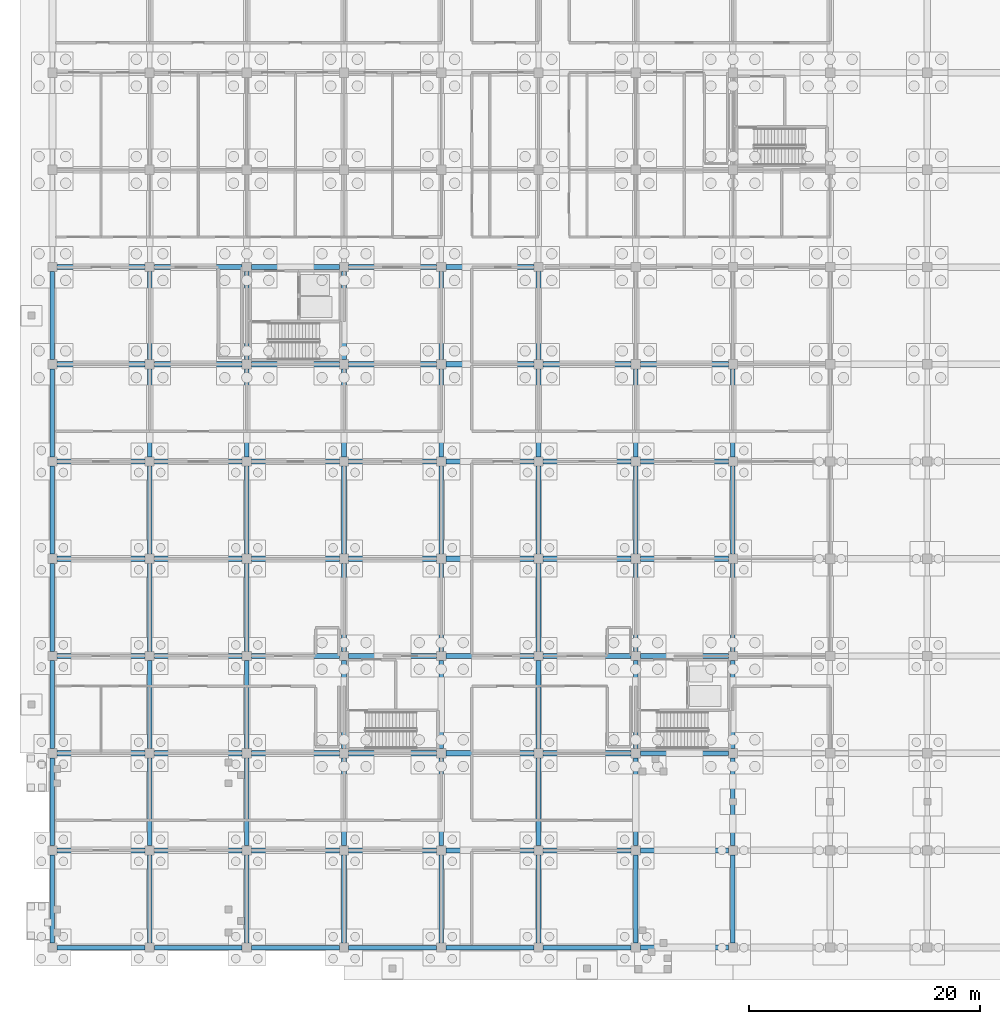
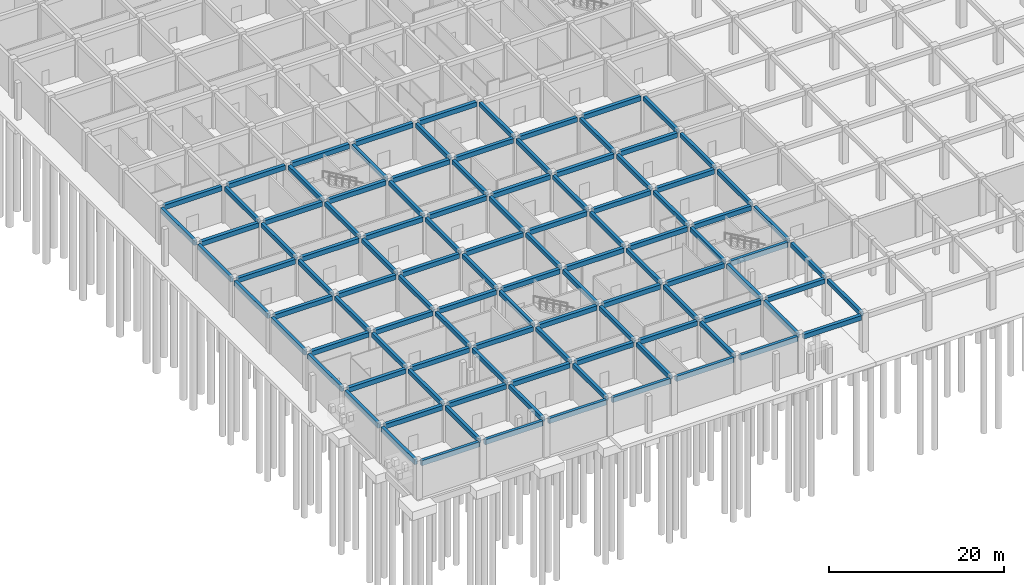
# One storey, part 20 of 65: 108 beams.
"""IFC4 building model written with IfcOpenShell, lengths in metres."""

from ifc_helpers import new_model, si_unit, direction, frame, origin, origin_2d, place, context, subcontext, project, spatial, rectangle, extrude, material, material_profile, profile_set, type_object, element, save


model = new_model("IFC4")

# Units and contexts
model_context = context("Model", 3, precision=1e-05, world=origin(), true_north=direction((0.0, 1.0)))
body_context = subcontext(model_context, "Body", "Model", "MODEL_VIEW")
ifc_project = project(units=[si_unit("LENGTHUNIT", "METRE"), si_unit("AREAUNIT", "SQUARE_METRE"), si_unit("VOLUMEUNIT", "CUBIC_METRE"), si_unit("PLANEANGLEUNIT", "RADIAN"), si_unit("MASSUNIT", "GRAM", prefix="KILO")], contexts=[model_context])

# Site, building, storey
site_placement = place(None, origin())
site = spatial("IfcSite", under=ifc_project, at=site_placement, CompositionType="ELEMENT")
building_placement = place(site_placement, origin())
building = spatial("IfcBuilding", under=site, at=building_placement, Name="Bramfleet General Hospital", CompositionType="ELEMENT")
storey_placement = place(building_placement, frame((0.0, 0.0, -5.39990234375)))
storey = spatial("IfcBuildingStorey", under=building, at=storey_placement, Name="B1", CompositionType="ELEMENT", Elevation=-5.39990234375)

# Beams
ifc_material = material(Name="Concrete C35/45", Category="concrete")
ifc_material_profile_1 = material_profile(ifc_material, rectangle(XDim=0.39990234375, YDim=0.60009765625, at=origin_2d()), Name="RC BM 600x400")
ifc_profile_set_1 = profile_set([ifc_material_profile_1], Name="Concrete C35/45")
beam_type_1 = type_object("IfcBeamType", Name="BM-RC600", PredefinedType="BEAM", material=ifc_profile_set_1)
beam_1_placement = place(storey_placement, frame((8.39990234375, 0.39990234375, 4.77978515625), z_axis=(0.0, 1.0, 0.0), x_axis=(-1.0, 0.0, 0.0)))
element("IfcBeam", 1, at=beam_1_placement, inside=storey, type_object=beam_type_1, Name="B1 Grid Beam Y 01-00", PredefinedType="BEAM", context=body_context, shape_type="SweptSolid", body=[
    extrude(rectangle(XDim=0.39990234375, YDim=0.60009765625, at=origin_2d()), origin(), (0.0, 0.0, 1.0), 7.60009765625),
])
beam_2_placement = place(storey_placement, frame((8.39990234375, 8.800048828125, 4.77978515625), z_axis=(0.0, 1.0, 0.0), x_axis=(-1.0, 0.0, 0.0)))
element("IfcBeam", 2, at=beam_2_placement, inside=storey, type_object=beam_type_1, Name="B1 Grid Beam Y 01-01", PredefinedType="BEAM", context=body_context, shape_type="SweptSolid", body=[
    extrude(rectangle(XDim=0.39990234375, YDim=0.60009765625, at=origin_2d()), origin(), (0.0, 0.0, 1.0), 7.599853515625),
])
beam_3_placement = place(storey_placement, frame((8.39990234375, 17.199951171875, 4.77978515625), z_axis=(0.0, 1.0, 0.0), x_axis=(-1.0, 0.0, 0.0)))
element("IfcBeam", 3, at=beam_3_placement, inside=storey, type_object=beam_type_1, Name="B1 Grid Beam Y 01-02", PredefinedType="BEAM", context=body_context, shape_type="SweptSolid", body=[
    extrude(rectangle(XDim=0.39990234375, YDim=0.60009765625, at=origin_2d()), origin(), (0.0, 0.0, 1.0), 7.60009765625),
])
beam_4_placement = place(storey_placement, frame((8.39990234375, 25.60009765625, 4.77978515625), z_axis=(0.0, 1.0, 0.0), x_axis=(-1.0, 0.0, 0.0)))
element("IfcBeam", 4, at=beam_4_placement, inside=storey, type_object=beam_type_1, Name="B1 Grid Beam Y 01-03", PredefinedType="BEAM", context=body_context, shape_type="SweptSolid", body=[
    extrude(rectangle(XDim=0.39990234375, YDim=0.60009765625, at=origin_2d()), origin(), (0.0, 0.0, 1.0), 7.599853515625),
])
for number, where, z_axis, x_axis, name in (
    (5, (8.39990234375, 34.0, 4.77978515625), (0.0, 1.0, 0.0), (-1.0, 0.0, 0.0), "B1 Grid Beam Y 01-04"),
    (6, (8.39990234375, 42.39990234375, 4.77978515625), (0.0, 1.0, 0.0), (-1.0, 0.0, 0.0), "B1 Grid Beam Y 01-05"),
):
    element("IfcBeam", number, at=place(storey_placement, frame(where, z_axis=z_axis, x_axis=x_axis)), inside=storey, type_object=beam_type_1, Name=name, PredefinedType="BEAM", context=body_context, shape_type="SweptSolid", body=[
        extrude(rectangle(XDim=0.39990234375, YDim=0.60009765625, at=origin_2d()), origin(), (0.0, 0.0, 1.0), 7.60009765625),
    ])
beam_5_placement = place(storey_placement, frame((8.39990234375, 50.800048828125, 4.77978515625), z_axis=(0.0, 1.0, 0.0), x_axis=(-1.0, 0.0, 0.0)))
element("IfcBeam", 7, at=beam_5_placement, inside=storey, type_object=beam_type_1, Name="B1 Grid Beam Y 01-06", PredefinedType="BEAM", context=body_context, shape_type="SweptSolid", body=[
    extrude(rectangle(XDim=0.39990234375, YDim=0.60009765625, at=origin_2d()), origin(), (0.0, 0.0, 1.0), 7.599853515625),
])
beam_6_placement = place(storey_placement, frame((16.800048828125, 0.39990234375, 4.77978515625), z_axis=(0.0, 1.0, 0.0), x_axis=(-1.0, 0.0, 0.0)))
element("IfcBeam", 8, at=beam_6_placement, inside=storey, type_object=beam_type_1, Name="B1 Grid Beam Y 02-00", PredefinedType="BEAM", context=body_context, shape_type="SweptSolid", body=[
    extrude(rectangle(XDim=0.39990234375, YDim=0.60009765625, at=origin_2d()), origin(), (0.0, 0.0, 1.0), 7.60009765625),
])
beam_7_placement = place(storey_placement, frame((16.800048828125, 8.800048828125, 4.77978515625), z_axis=(0.0, 1.0, 0.0), x_axis=(-1.0, 0.0, 0.0)))
element("IfcBeam", 9, at=beam_7_placement, inside=storey, type_object=beam_type_1, Name="B1 Grid Beam Y 02-01", PredefinedType="BEAM", context=body_context, shape_type="SweptSolid", body=[
    extrude(rectangle(XDim=0.39990234375, YDim=0.60009765625, at=origin_2d()), origin(), (0.0, 0.0, 1.0), 7.599853515625),
])
beam_8_placement = place(storey_placement, frame((16.800048828125, 17.199951171875, 4.77978515625), z_axis=(0.0, 1.0, 0.0), x_axis=(-1.0, 0.0, 0.0)))
element("IfcBeam", 10, at=beam_8_placement, inside=storey, type_object=beam_type_1, Name="B1 Grid Beam Y 02-02", PredefinedType="BEAM", context=body_context, shape_type="SweptSolid", body=[
    extrude(rectangle(XDim=0.39990234375, YDim=0.60009765625, at=origin_2d()), origin(), (0.0, 0.0, 1.0), 7.60009765625),
])
beam_9_placement = place(storey_placement, frame((16.800048828125, 25.60009765625, 4.77978515625), z_axis=(0.0, 1.0, 0.0), x_axis=(-1.0, 0.0, 0.0)))
element("IfcBeam", 11, at=beam_9_placement, inside=storey, type_object=beam_type_1, Name="B1 Grid Beam Y 02-03", PredefinedType="BEAM", context=body_context, shape_type="SweptSolid", body=[
    extrude(rectangle(XDim=0.39990234375, YDim=0.60009765625, at=origin_2d()), origin(), (0.0, 0.0, 1.0), 7.599853515625),
])
for number, where, z_axis, x_axis, name in (
    (12, (16.800048828125, 34.0, 4.77978515625), (0.0, 1.0, 0.0), (-1.0, 0.0, 0.0), "B1 Grid Beam Y 02-04"),
    (13, (16.800048828125, 42.39990234375, 4.77978515625), (0.0, 1.0, 0.0), (-1.0, 0.0, 0.0), "B1 Grid Beam Y 02-05"),
):
    element("IfcBeam", number, at=place(storey_placement, frame(where, z_axis=z_axis, x_axis=x_axis)), inside=storey, type_object=beam_type_1, Name=name, PredefinedType="BEAM", context=body_context, shape_type="SweptSolid", body=[
        extrude(rectangle(XDim=0.39990234375, YDim=0.60009765625, at=origin_2d()), origin(), (0.0, 0.0, 1.0), 7.60009765625),
    ])
beam_10_placement = place(storey_placement, frame((16.800048828125, 50.800048828125, 4.77978515625), z_axis=(0.0, 1.0, 0.0), x_axis=(-1.0, 0.0, 0.0)))
element("IfcBeam", 14, at=beam_10_placement, inside=storey, type_object=beam_type_1, Name="B1 Grid Beam Y 02-06", PredefinedType="BEAM", context=body_context, shape_type="SweptSolid", body=[
    extrude(rectangle(XDim=0.39990234375, YDim=0.60009765625, at=origin_2d()), origin(), (0.0, 0.0, 1.0), 7.599853515625),
])
beam_11_placement = place(storey_placement, frame((25.199951171875, 0.39990234375, 4.77978515625), z_axis=(0.0, 1.0, 0.0), x_axis=(-1.0, 0.0, 0.0)))
element("IfcBeam", 15, at=beam_11_placement, inside=storey, type_object=beam_type_1, Name="B1 Grid Beam Y 03-00", PredefinedType="BEAM", context=body_context, shape_type="SweptSolid", body=[
    extrude(rectangle(XDim=0.39990234375, YDim=0.60009765625, at=origin_2d()), origin(), (0.0, 0.0, 1.0), 7.60009765625),
])
beam_12_placement = place(storey_placement, frame((25.199951171875, 8.800048828125, 4.77978515625), z_axis=(0.0, 1.0, 0.0), x_axis=(-1.0, 0.0, 0.0)))
element("IfcBeam", 16, at=beam_12_placement, inside=storey, type_object=beam_type_1, Name="B1 Grid Beam Y 03-01", PredefinedType="BEAM", context=body_context, shape_type="SweptSolid", body=[
    extrude(rectangle(XDim=0.39990234375, YDim=0.60009765625, at=origin_2d()), origin(), (0.0, 0.0, 1.0), 7.599853515625),
])
beam_13_placement = place(storey_placement, frame((25.199951171875, 17.199951171875, 4.77978515625), z_axis=(0.0, 1.0, 0.0), x_axis=(-1.0, 0.0, 0.0)))
element("IfcBeam", 17, at=beam_13_placement, inside=storey, type_object=beam_type_1, Name="B1 Grid Beam Y 03-02", PredefinedType="BEAM", context=body_context, shape_type="SweptSolid", body=[
    extrude(rectangle(XDim=0.39990234375, YDim=0.60009765625, at=origin_2d()), origin(), (0.0, 0.0, 1.0), 7.60009765625),
])
beam_14_placement = place(storey_placement, frame((25.199951171875, 25.60009765625, 4.77978515625), z_axis=(0.0, 1.0, 0.0), x_axis=(-1.0, 0.0, 0.0)))
element("IfcBeam", 18, at=beam_14_placement, inside=storey, type_object=beam_type_1, Name="B1 Grid Beam Y 03-03", PredefinedType="BEAM", context=body_context, shape_type="SweptSolid", body=[
    extrude(rectangle(XDim=0.39990234375, YDim=0.60009765625, at=origin_2d()), origin(), (0.0, 0.0, 1.0), 7.599853515625),
])
for number, where, z_axis, x_axis, name in (
    (19, (25.199951171875, 34.0, 4.77978515625), (0.0, 1.0, 0.0), (-1.0, 0.0, 0.0), "B1 Grid Beam Y 03-04"),
    (20, (25.199951171875, 42.39990234375, 4.77978515625), (0.0, 1.0, 0.0), (-1.0, 0.0, 0.0), "B1 Grid Beam Y 03-05"),
):
    element("IfcBeam", number, at=place(storey_placement, frame(where, z_axis=z_axis, x_axis=x_axis)), inside=storey, type_object=beam_type_1, Name=name, PredefinedType="BEAM", context=body_context, shape_type="SweptSolid", body=[
        extrude(rectangle(XDim=0.39990234375, YDim=0.60009765625, at=origin_2d()), origin(), (0.0, 0.0, 1.0), 7.60009765625),
    ])
beam_15_placement = place(storey_placement, frame((25.199951171875, 50.800048828125, 4.77978515625), z_axis=(0.0, 1.0, 0.0), x_axis=(-1.0, 0.0, 0.0)))
element("IfcBeam", 21, at=beam_15_placement, inside=storey, type_object=beam_type_1, Name="B1 Grid Beam Y 03-06", PredefinedType="BEAM", context=body_context, shape_type="SweptSolid", body=[
    extrude(rectangle(XDim=0.39990234375, YDim=0.60009765625, at=origin_2d()), origin(), (0.0, 0.0, 1.0), 7.599853515625),
])
beam_16_placement = place(storey_placement, frame((33.60009765625, 0.39990234375, 4.77978515625), z_axis=(0.0, 1.0, 0.0), x_axis=(-1.0, 0.0, 0.0)))
element("IfcBeam", 22, at=beam_16_placement, inside=storey, type_object=beam_type_1, Name="B1 Grid Beam Y 04-00", PredefinedType="BEAM", context=body_context, shape_type="SweptSolid", body=[
    extrude(rectangle(XDim=0.39990234375, YDim=0.60009765625, at=origin_2d()), origin(), (0.0, 0.0, 1.0), 7.60009765625),
])
beam_17_placement = place(storey_placement, frame((33.60009765625, 8.800048828125, 4.77978515625), z_axis=(0.0, 1.0, 0.0), x_axis=(-1.0, 0.0, 0.0)))
element("IfcBeam", 23, at=beam_17_placement, inside=storey, type_object=beam_type_1, Name="B1 Grid Beam Y 04-01", PredefinedType="BEAM", context=body_context, shape_type="SweptSolid", body=[
    extrude(rectangle(XDim=0.39990234375, YDim=0.60009765625, at=origin_2d()), origin(), (0.0, 0.0, 1.0), 7.599853515625),
])
beam_18_placement = place(storey_placement, frame((33.60009765625, 17.199951171875, 4.77978515625), z_axis=(0.0, 1.0, 0.0), x_axis=(-1.0, 0.0, 0.0)))
element("IfcBeam", 24, at=beam_18_placement, inside=storey, type_object=beam_type_1, Name="B1 Grid Beam Y 04-02", PredefinedType="BEAM", context=body_context, shape_type="SweptSolid", body=[
    extrude(rectangle(XDim=0.39990234375, YDim=0.60009765625, at=origin_2d()), origin(), (0.0, 0.0, 1.0), 7.60009765625),
])
beam_19_placement = place(storey_placement, frame((33.60009765625, 25.60009765625, 4.77978515625), z_axis=(0.0, 1.0, 0.0), x_axis=(-1.0, 0.0, 0.0)))
element("IfcBeam", 25, at=beam_19_placement, inside=storey, type_object=beam_type_1, Name="B1 Grid Beam Y 04-03", PredefinedType="BEAM", context=body_context, shape_type="SweptSolid", body=[
    extrude(rectangle(XDim=0.39990234375, YDim=0.60009765625, at=origin_2d()), origin(), (0.0, 0.0, 1.0), 7.599853515625),
])
for number, where, z_axis, x_axis, name in (
    (26, (33.60009765625, 34.0, 4.77978515625), (0.0, 1.0, 0.0), (-1.0, 0.0, 0.0), "B1 Grid Beam Y 04-04"),
    (27, (33.60009765625, 42.39990234375, 4.77978515625), (0.0, 1.0, 0.0), (-1.0, 0.0, 0.0), "B1 Grid Beam Y 04-05"),
):
    element("IfcBeam", number, at=place(storey_placement, frame(where, z_axis=z_axis, x_axis=x_axis)), inside=storey, type_object=beam_type_1, Name=name, PredefinedType="BEAM", context=body_context, shape_type="SweptSolid", body=[
        extrude(rectangle(XDim=0.39990234375, YDim=0.60009765625, at=origin_2d()), origin(), (0.0, 0.0, 1.0), 7.60009765625),
    ])
beam_20_placement = place(storey_placement, frame((33.60009765625, 50.800048828125, 4.77978515625), z_axis=(0.0, 1.0, 0.0), x_axis=(-1.0, 0.0, 0.0)))
element("IfcBeam", 28, at=beam_20_placement, inside=storey, type_object=beam_type_1, Name="B1 Grid Beam Y 04-06", PredefinedType="BEAM", context=body_context, shape_type="SweptSolid", body=[
    extrude(rectangle(XDim=0.39990234375, YDim=0.60009765625, at=origin_2d()), origin(), (0.0, 0.0, 1.0), 7.599853515625),
])
beam_21_placement = place(storey_placement, frame((42.0, 0.39990234375, 4.77978515625), z_axis=(0.0, 1.0, 0.0), x_axis=(-1.0, 0.0, 0.0)))
element("IfcBeam", 29, at=beam_21_placement, inside=storey, type_object=beam_type_1, Name="B1 Grid Beam Y 05-00", PredefinedType="BEAM", context=body_context, shape_type="SweptSolid", body=[
    extrude(rectangle(XDim=0.39990234375, YDim=0.60009765625, at=origin_2d()), origin(), (0.0, 0.0, 1.0), 7.60009765625),
])
beam_22_placement = place(storey_placement, frame((42.0, 8.800048828125, 4.77978515625), z_axis=(0.0, 1.0, 0.0), x_axis=(-1.0, 0.0, 0.0)))
element("IfcBeam", 30, at=beam_22_placement, inside=storey, type_object=beam_type_1, Name="B1 Grid Beam Y 05-01", PredefinedType="BEAM", context=body_context, shape_type="SweptSolid", body=[
    extrude(rectangle(XDim=0.39990234375, YDim=0.60009765625, at=origin_2d()), origin(), (0.0, 0.0, 1.0), 7.599853515625),
])
beam_23_placement = place(storey_placement, frame((42.0, 17.199951171875, 4.77978515625), z_axis=(0.0, 1.0, 0.0), x_axis=(-1.0, 0.0, 0.0)))
element("IfcBeam", 31, at=beam_23_placement, inside=storey, type_object=beam_type_1, Name="B1 Grid Beam Y 05-02", PredefinedType="BEAM", context=body_context, shape_type="SweptSolid", body=[
    extrude(rectangle(XDim=0.39990234375, YDim=0.60009765625, at=origin_2d()), origin(), (0.0, 0.0, 1.0), 7.60009765625),
])
beam_24_placement = place(storey_placement, frame((42.0, 25.60009765625, 4.77978515625), z_axis=(0.0, 1.0, 0.0), x_axis=(-1.0, 0.0, 0.0)))
element("IfcBeam", 32, at=beam_24_placement, inside=storey, type_object=beam_type_1, Name="B1 Grid Beam Y 05-03", PredefinedType="BEAM", context=body_context, shape_type="SweptSolid", body=[
    extrude(rectangle(XDim=0.39990234375, YDim=0.60009765625, at=origin_2d()), origin(), (0.0, 0.0, 1.0), 7.599853515625),
])
for number, where, z_axis, x_axis, name in (
    (33, (42.0, 34.0, 4.77978515625), (0.0, 1.0, 0.0), (-1.0, 0.0, 0.0), "B1 Grid Beam Y 05-04"),
    (34, (42.0, 42.39990234375, 4.77978515625), (0.0, 1.0, 0.0), (-1.0, 0.0, 0.0), "B1 Grid Beam Y 05-05"),
):
    element("IfcBeam", number, at=place(storey_placement, frame(where, z_axis=z_axis, x_axis=x_axis)), inside=storey, type_object=beam_type_1, Name=name, PredefinedType="BEAM", context=body_context, shape_type="SweptSolid", body=[
        extrude(rectangle(XDim=0.39990234375, YDim=0.60009765625, at=origin_2d()), origin(), (0.0, 0.0, 1.0), 7.60009765625),
    ])
beam_25_placement = place(storey_placement, frame((42.0, 50.800048828125, 4.77978515625), z_axis=(0.0, 1.0, 0.0), x_axis=(-1.0, 0.0, 0.0)))
element("IfcBeam", 35, at=beam_25_placement, inside=storey, type_object=beam_type_1, Name="B1 Grid Beam Y 05-06", PredefinedType="BEAM", context=body_context, shape_type="SweptSolid", body=[
    extrude(rectangle(XDim=0.39990234375, YDim=0.60009765625, at=origin_2d()), origin(), (0.0, 0.0, 1.0), 7.599853515625),
])
beam_26_placement = place(storey_placement, frame((50.39990234375, 17.199951171875, 4.77978515625), z_axis=(0.0, 1.0, 0.0), x_axis=(-1.0, 0.0, 0.0)))
element("IfcBeam", 36, at=beam_26_placement, inside=storey, type_object=beam_type_1, Name="B1 Grid Beam Y 06-02", PredefinedType="BEAM", context=body_context, shape_type="SweptSolid", body=[
    extrude(rectangle(XDim=0.39990234375, YDim=0.60009765625, at=origin_2d()), origin(), (0.0, 0.0, 1.0), 7.60009765625),
])
beam_27_placement = place(storey_placement, frame((50.39990234375, 25.60009765625, 4.77978515625), z_axis=(0.0, 1.0, 0.0), x_axis=(-1.0, 0.0, 0.0)))
element("IfcBeam", 37, at=beam_27_placement, inside=storey, type_object=beam_type_1, Name="B1 Grid Beam Y 06-03", PredefinedType="BEAM", context=body_context, shape_type="SweptSolid", body=[
    extrude(rectangle(XDim=0.39990234375, YDim=0.60009765625, at=origin_2d()), origin(), (0.0, 0.0, 1.0), 7.599853515625),
])
for number, where, z_axis, x_axis, name in (
    (38, (50.39990234375, 34.0, 4.77978515625), (0.0, 1.0, 0.0), (-1.0, 0.0, 0.0), "B1 Grid Beam Y 06-04"),
    (39, (50.39990234375, 42.39990234375, 4.77978515625), (0.0, 1.0, 0.0), (-1.0, 0.0, 0.0), "B1 Grid Beam Y 06-05"),
    (40, (58.800048828125, 0.39990234375, 4.77978515625), (0.0, 1.0, 0.0), (-1.0, 0.0, 0.0), "B1 Grid Beam Y 07-00"),
):
    element("IfcBeam", number, at=place(storey_placement, frame(where, z_axis=z_axis, x_axis=x_axis)), inside=storey, type_object=beam_type_1, Name=name, PredefinedType="BEAM", context=body_context, shape_type="SweptSolid", body=[
        extrude(rectangle(XDim=0.39990234375, YDim=0.60009765625, at=origin_2d()), origin(), (0.0, 0.0, 1.0), 7.60009765625),
    ])
beam_28_placement = place(storey_placement, frame((58.800048828125, 8.800048828125, 4.77978515625), z_axis=(0.0, 1.0, 0.0), x_axis=(-1.0, 0.0, 0.0)))
element("IfcBeam", 41, at=beam_28_placement, inside=storey, type_object=beam_type_1, Name="B1 Grid Beam Y 07-01", PredefinedType="BEAM", context=body_context, shape_type="SweptSolid", body=[
    extrude(rectangle(XDim=0.39990234375, YDim=0.60009765625, at=origin_2d()), origin(), (0.0, 0.0, 1.0), 7.599853515625),
])
beam_29_placement = place(storey_placement, frame((58.800048828125, 17.199951171875, 4.77978515625), z_axis=(0.0, 1.0, 0.0), x_axis=(-1.0, 0.0, 0.0)))
element("IfcBeam", 42, at=beam_29_placement, inside=storey, type_object=beam_type_1, Name="B1 Grid Beam Y 07-02", PredefinedType="BEAM", context=body_context, shape_type="SweptSolid", body=[
    extrude(rectangle(XDim=0.39990234375, YDim=0.60009765625, at=origin_2d()), origin(), (0.0, 0.0, 1.0), 7.60009765625),
])
beam_30_placement = place(storey_placement, frame((58.800048828125, 25.60009765625, 4.77978515625), z_axis=(0.0, 1.0, 0.0), x_axis=(-1.0, 0.0, 0.0)))
element("IfcBeam", 43, at=beam_30_placement, inside=storey, type_object=beam_type_1, Name="B1 Grid Beam Y 07-03", PredefinedType="BEAM", context=body_context, shape_type="SweptSolid", body=[
    extrude(rectangle(XDim=0.39990234375, YDim=0.60009765625, at=origin_2d()), origin(), (0.0, 0.0, 1.0), 7.599853515625),
])
for number, where, z_axis, x_axis, name in (
    (44, (58.800048828125, 34.0, 4.77978515625), (0.0, 1.0, 0.0), (-1.0, 0.0, 0.0), "B1 Grid Beam Y 07-04"),
    (45, (58.800048828125, 42.39990234375, 4.77978515625), (0.0, 1.0, 0.0), (-1.0, 0.0, 0.0), "B1 Grid Beam Y 07-05"),
):
    element("IfcBeam", number, at=place(storey_placement, frame(where, z_axis=z_axis, x_axis=x_axis)), inside=storey, type_object=beam_type_1, Name=name, PredefinedType="BEAM", context=body_context, shape_type="SweptSolid", body=[
        extrude(rectangle(XDim=0.39990234375, YDim=0.60009765625, at=origin_2d()), origin(), (0.0, 0.0, 1.0), 7.60009765625),
    ])
ifc_material_profile_2 = material_profile(ifc_material, rectangle(XDim=0.449951171875, YDim=0.64990234375, at=origin_2d()), Name="RC BM 650x450")
ifc_profile_set_2 = profile_set([ifc_material_profile_2], Name="Concrete C35/45")
beam_type_2 = type_object("IfcBeamType", Name="BM-RC650", PredefinedType="BEAM", material=ifc_profile_set_2)
for number, where, z_axis, x_axis, name in (
    (46, (0.39990234375, 8.39990234375, 4.7548828125), (1.0, 0.0, 0.0), (0.0, 1.0, 0.0), "B1 Grid Beam X 00-01"),
    (47, (0.39990234375, 16.800048828125, 4.7548828125), (1.0, 0.0, 0.0), (0.0, 1.0, 0.0), "B1 Grid Beam X 00-02"),
    (48, (0.39990234375, 25.199951171875, 4.7548828125), (1.0, 0.0, 0.0), (0.0, 1.0, 0.0), "B1 Grid Beam X 00-03"),
    (49, (0.39990234375, 33.60009765625, 4.7548828125), (1.0, 0.0, 0.0), (0.0, 1.0, 0.0), "B1 Grid Beam X 00-04"),
    (50, (0.39990234375, 42.0, 4.7548828125), (1.0, 0.0, 0.0), (0.0, 1.0, 0.0), "B1 Grid Beam X 00-05"),
    (51, (0.39990234375, 50.39990234375, 4.7548828125), (1.0, 0.0, 0.0), (0.0, 1.0, 0.0), "B1 Grid Beam X 00-06"),
    (52, (0.39990234375, 58.800048828125, 4.7548828125), (1.0, 0.0, 0.0), (0.0, 1.0, 0.0), "B1 Grid Beam X 00-07"),
):
    element("IfcBeam", number, at=place(storey_placement, frame(where, z_axis=z_axis, x_axis=x_axis)), inside=storey, type_object=beam_type_2, Name=name, PredefinedType="BEAM", context=body_context, shape_type="SweptSolid", body=[
        extrude(rectangle(XDim=0.449951171875, YDim=0.64990234375, at=origin_2d()), origin(), (0.0, 0.0, 1.0), 7.60009765625),
    ])
for number, where, z_axis, x_axis, name in (
    (53, (8.800048828125, 8.39990234375, 4.7548828125), (1.0, 0.0, 0.0), (0.0, 1.0, 0.0), "B1 Grid Beam X 01-01"),
    (54, (8.800048828125, 16.800048828125, 4.7548828125), (1.0, 0.0, 0.0), (0.0, 1.0, 0.0), "B1 Grid Beam X 01-02"),
    (55, (8.800048828125, 25.199951171875, 4.7548828125), (1.0, 0.0, 0.0), (0.0, 1.0, 0.0), "B1 Grid Beam X 01-03"),
    (56, (8.800048828125, 33.60009765625, 4.7548828125), (1.0, 0.0, 0.0), (0.0, 1.0, 0.0), "B1 Grid Beam X 01-04"),
    (57, (8.800048828125, 42.0, 4.7548828125), (1.0, 0.0, 0.0), (0.0, 1.0, 0.0), "B1 Grid Beam X 01-05"),
    (58, (8.800048828125, 50.39990234375, 4.7548828125), (1.0, 0.0, 0.0), (0.0, 1.0, 0.0), "B1 Grid Beam X 01-06"),
    (59, (8.800048828125, 58.800048828125, 4.7548828125), (1.0, 0.0, 0.0), (0.0, 1.0, 0.0), "B1 Grid Beam X 01-07"),
):
    element("IfcBeam", number, at=place(storey_placement, frame(where, z_axis=z_axis, x_axis=x_axis)), inside=storey, type_object=beam_type_2, Name=name, PredefinedType="BEAM", context=body_context, shape_type="SweptSolid", body=[
        extrude(rectangle(XDim=0.449951171875, YDim=0.64990234375, at=origin_2d()), origin(), (0.0, 0.0, 1.0), 7.599853515625),
    ])
for number, where, z_axis, x_axis, name in (
    (60, (17.199951171875, 8.39990234375, 4.7548828125), (1.0, 0.0, 0.0), (0.0, 1.0, 0.0), "B1 Grid Beam X 02-01"),
    (61, (17.199951171875, 16.800048828125, 4.7548828125), (1.0, 0.0, 0.0), (0.0, 1.0, 0.0), "B1 Grid Beam X 02-02"),
    (62, (17.199951171875, 25.199951171875, 4.7548828125), (1.0, 0.0, 0.0), (0.0, 1.0, 0.0), "B1 Grid Beam X 02-03"),
    (63, (17.199951171875, 33.60009765625, 4.7548828125), (1.0, 0.0, 0.0), (0.0, 1.0, 0.0), "B1 Grid Beam X 02-04"),
    (64, (17.199951171875, 42.0, 4.7548828125), (1.0, 0.0, 0.0), (0.0, 1.0, 0.0), "B1 Grid Beam X 02-05"),
    (65, (17.199951171875, 50.39990234375, 4.7548828125), (1.0, 0.0, 0.0), (0.0, 1.0, 0.0), "B1 Grid Beam X 02-06"),
    (66, (17.199951171875, 58.800048828125, 4.7548828125), (1.0, 0.0, 0.0), (0.0, 1.0, 0.0), "B1 Grid Beam X 02-07"),
):
    element("IfcBeam", number, at=place(storey_placement, frame(where, z_axis=z_axis, x_axis=x_axis)), inside=storey, type_object=beam_type_2, Name=name, PredefinedType="BEAM", context=body_context, shape_type="SweptSolid", body=[
        extrude(rectangle(XDim=0.449951171875, YDim=0.64990234375, at=origin_2d()), origin(), (0.0, 0.0, 1.0), 7.60009765625),
    ])
for number, where, z_axis, x_axis, name in (
    (67, (25.60009765625, 8.39990234375, 4.7548828125), (1.0, 0.0, 0.0), (0.0, 1.0, 0.0), "B1 Grid Beam X 03-01"),
    (68, (25.60009765625, 16.800048828125, 4.7548828125), (1.0, 0.0, 0.0), (0.0, 1.0, 0.0), "B1 Grid Beam X 03-02"),
    (69, (25.60009765625, 25.199951171875, 4.7548828125), (1.0, 0.0, 0.0), (0.0, 1.0, 0.0), "B1 Grid Beam X 03-03"),
    (70, (25.60009765625, 33.60009765625, 4.7548828125), (1.0, 0.0, 0.0), (0.0, 1.0, 0.0), "B1 Grid Beam X 03-04"),
    (71, (25.60009765625, 42.0, 4.7548828125), (1.0, 0.0, 0.0), (0.0, 1.0, 0.0), "B1 Grid Beam X 03-05"),
    (72, (25.60009765625, 50.39990234375, 4.7548828125), (1.0, 0.0, 0.0), (0.0, 1.0, 0.0), "B1 Grid Beam X 03-06"),
    (73, (25.60009765625, 58.800048828125, 4.7548828125), (1.0, 0.0, 0.0), (0.0, 1.0, 0.0), "B1 Grid Beam X 03-07"),
):
    element("IfcBeam", number, at=place(storey_placement, frame(where, z_axis=z_axis, x_axis=x_axis)), inside=storey, type_object=beam_type_2, Name=name, PredefinedType="BEAM", context=body_context, shape_type="SweptSolid", body=[
        extrude(rectangle(XDim=0.449951171875, YDim=0.64990234375, at=origin_2d()), origin(), (0.0, 0.0, 1.0), 7.599853515625),
    ])
for number, where, z_axis, x_axis, name in (
    (74, (34.0, 8.39990234375, 4.7548828125), (1.0, 0.0, 0.0), (0.0, 1.0, 0.0), "B1 Grid Beam X 04-01"),
    (75, (34.0, 16.800048828125, 4.7548828125), (1.0, 0.0, 0.0), (0.0, 1.0, 0.0), "B1 Grid Beam X 04-02"),
    (76, (34.0, 25.199951171875, 4.7548828125), (1.0, 0.0, 0.0), (0.0, 1.0, 0.0), "B1 Grid Beam X 04-03"),
    (77, (34.0, 33.60009765625, 4.7548828125), (1.0, 0.0, 0.0), (0.0, 1.0, 0.0), "B1 Grid Beam X 04-04"),
    (78, (34.0, 42.0, 4.7548828125), (1.0, 0.0, 0.0), (0.0, 1.0, 0.0), "B1 Grid Beam X 04-05"),
    (79, (34.0, 50.39990234375, 4.7548828125), (1.0, 0.0, 0.0), (0.0, 1.0, 0.0), "B1 Grid Beam X 04-06"),
    (80, (34.0, 58.800048828125, 4.7548828125), (1.0, 0.0, 0.0), (0.0, 1.0, 0.0), "B1 Grid Beam X 04-07"),
    (81, (42.39990234375, 8.39990234375, 4.7548828125), (1.0, 0.0, 0.0), (0.0, 1.0, 0.0), "B1 Grid Beam X 05-01"),
    (82, (42.39990234375, 16.800048828125, 4.7548828125), (1.0, 0.0, 0.0), (0.0, 1.0, 0.0), "B1 Grid Beam X 05-02"),
    (83, (42.39990234375, 25.199951171875, 4.7548828125), (1.0, 0.0, 0.0), (0.0, 1.0, 0.0), "B1 Grid Beam X 05-03"),
    (84, (42.39990234375, 33.60009765625, 4.7548828125), (1.0, 0.0, 0.0), (0.0, 1.0, 0.0), "B1 Grid Beam X 05-04"),
    (85, (42.39990234375, 42.0, 4.7548828125), (1.0, 0.0, 0.0), (0.0, 1.0, 0.0), "B1 Grid Beam X 05-05"),
    (86, (42.39990234375, 50.39990234375, 4.7548828125), (1.0, 0.0, 0.0), (0.0, 1.0, 0.0), "B1 Grid Beam X 05-06"),
):
    element("IfcBeam", number, at=place(storey_placement, frame(where, z_axis=z_axis, x_axis=x_axis)), inside=storey, type_object=beam_type_2, Name=name, PredefinedType="BEAM", context=body_context, shape_type="SweptSolid", body=[
        extrude(rectangle(XDim=0.449951171875, YDim=0.64990234375, at=origin_2d()), origin(), (0.0, 0.0, 1.0), 7.60009765625),
    ])
for number, where, z_axis, x_axis, name in (
    (87, (50.800048828125, 0.0, 4.7548828125), (1.0, 0.0, 0.0), (0.0, 1.0, 0.0), "B1 Grid Beam X 06-00"),
    (88, (50.800048828125, 8.39990234375, 4.7548828125), (1.0, 0.0, 0.0), (0.0, 1.0, 0.0), "B1 Grid Beam X 06-01"),
    (89, (50.800048828125, 25.199951171875, 4.7548828125), (1.0, 0.0, 0.0), (0.0, 1.0, 0.0), "B1 Grid Beam X 06-03"),
    (90, (50.800048828125, 33.60009765625, 4.7548828125), (1.0, 0.0, 0.0), (0.0, 1.0, 0.0), "B1 Grid Beam X 06-04"),
    (91, (50.800048828125, 42.0, 4.7548828125), (1.0, 0.0, 0.0), (0.0, 1.0, 0.0), "B1 Grid Beam X 06-05"),
    (92, (50.800048828125, 50.39990234375, 4.7548828125), (1.0, 0.0, 0.0), (0.0, 1.0, 0.0), "B1 Grid Beam X 06-06"),
):
    element("IfcBeam", number, at=place(storey_placement, frame(where, z_axis=z_axis, x_axis=x_axis)), inside=storey, type_object=beam_type_2, Name=name, PredefinedType="BEAM", context=body_context, shape_type="SweptSolid", body=[
        extrude(rectangle(XDim=0.449951171875, YDim=0.64990234375, at=origin_2d()), origin(), (0.0, 0.0, 1.0), 7.599853515625),
    ])
ifc_material_profile_3 = material_profile(ifc_material, rectangle(XDim=0.39990234375, YDim=0.699951171875, at=origin_2d()), Name="RC SP 700x400")
ifc_profile_set_3 = profile_set([ifc_material_profile_3], Name="Concrete C35/45")
beam_type_3 = type_object("IfcBeamType", Name="BM-SP700", PredefinedType="SPANDREL", material=ifc_profile_set_3)
beam_31_placement = place(storey_placement, frame((0.39990234375, 0.0, 4.72998046875), z_axis=(1.0, 0.0, 0.0), x_axis=(0.0, 1.0, 0.0)))
element("IfcBeam", 93, at=beam_31_placement, inside=storey, type_object=beam_type_3, Name="B1 Grid Beam X 00-00", PredefinedType="SPANDREL", context=body_context, shape_type="SweptSolid", body=[
    extrude(rectangle(XDim=0.39990234375, YDim=0.699951171875, at=origin_2d()), origin(), (0.0, 0.0, 1.0), 7.60009765625),
])
beam_32_placement = place(storey_placement, frame((8.800048828125, 0.0, 4.72998046875), z_axis=(1.0, 0.0, 0.0), x_axis=(0.0, 1.0, 0.0)))
element("IfcBeam", 94, at=beam_32_placement, inside=storey, type_object=beam_type_3, Name="B1 Grid Beam X 01-00", PredefinedType="SPANDREL", context=body_context, shape_type="SweptSolid", body=[
    extrude(rectangle(XDim=0.39990234375, YDim=0.699951171875, at=origin_2d()), origin(), (0.0, 0.0, 1.0), 7.599853515625),
])
beam_33_placement = place(storey_placement, frame((17.199951171875, 0.0, 4.72998046875), z_axis=(1.0, 0.0, 0.0), x_axis=(0.0, 1.0, 0.0)))
element("IfcBeam", 95, at=beam_33_placement, inside=storey, type_object=beam_type_3, Name="B1 Grid Beam X 02-00", PredefinedType="SPANDREL", context=body_context, shape_type="SweptSolid", body=[
    extrude(rectangle(XDim=0.39990234375, YDim=0.699951171875, at=origin_2d()), origin(), (0.0, 0.0, 1.0), 7.60009765625),
])
beam_34_placement = place(storey_placement, frame((25.60009765625, 0.0, 4.72998046875), z_axis=(1.0, 0.0, 0.0), x_axis=(0.0, 1.0, 0.0)))
element("IfcBeam", 96, at=beam_34_placement, inside=storey, type_object=beam_type_3, Name="B1 Grid Beam X 03-00", PredefinedType="SPANDREL", context=body_context, shape_type="SweptSolid", body=[
    extrude(rectangle(XDim=0.39990234375, YDim=0.699951171875, at=origin_2d()), origin(), (0.0, 0.0, 1.0), 7.599853515625),
])
for number, where, z_axis, x_axis, name in (
    (97, (34.0, 0.0, 4.72998046875), (1.0, 0.0, 0.0), (0.0, 1.0, 0.0), "B1 Grid Beam X 04-00"),
    (98, (42.39990234375, 0.0, 4.72998046875), (1.0, 0.0, 0.0), (0.0, 1.0, 0.0), "B1 Grid Beam X 05-00"),
):
    element("IfcBeam", number, at=place(storey_placement, frame(where, z_axis=z_axis, x_axis=x_axis)), inside=storey, type_object=beam_type_3, Name=name, PredefinedType="SPANDREL", context=body_context, shape_type="SweptSolid", body=[
        extrude(rectangle(XDim=0.39990234375, YDim=0.699951171875, at=origin_2d()), origin(), (0.0, 0.0, 1.0), 7.60009765625),
    ])
beam_35_placement = place(storey_placement, frame((50.800048828125, 16.800048828125, 4.72998046875), z_axis=(1.0, 0.0, 0.0), x_axis=(0.0, 1.0, 0.0)))
element("IfcBeam", 99, at=beam_35_placement, inside=storey, type_object=beam_type_3, Name="B1 Grid Beam X 06-02", PredefinedType="SPANDREL", context=body_context, shape_type="SweptSolid", body=[
    extrude(rectangle(XDim=0.39990234375, YDim=0.699951171875, at=origin_2d()), origin(), (0.0, 0.0, 1.0), 7.599853515625),
])
beam_36_placement = place(storey_placement, frame((0.0, 0.39990234375, 4.72998046875), z_axis=(0.0, 1.0, 0.0), x_axis=(-1.0, 0.0, 0.0)))
element("IfcBeam", 100, at=beam_36_placement, inside=storey, type_object=beam_type_3, Name="B1 Grid Beam Y 00-00", PredefinedType="SPANDREL", context=body_context, shape_type="SweptSolid", body=[
    extrude(rectangle(XDim=0.39990234375, YDim=0.699951171875, at=origin_2d()), origin(), (0.0, 0.0, 1.0), 7.60009765625),
])
beam_37_placement = place(storey_placement, frame((0.0, 8.800048828125, 4.72998046875), z_axis=(0.0, 1.0, 0.0), x_axis=(-1.0, 0.0, 0.0)))
element("IfcBeam", 101, at=beam_37_placement, inside=storey, type_object=beam_type_3, Name="B1 Grid Beam Y 00-01", PredefinedType="SPANDREL", context=body_context, shape_type="SweptSolid", body=[
    extrude(rectangle(XDim=0.39990234375, YDim=0.699951171875, at=origin_2d()), origin(), (0.0, 0.0, 1.0), 7.599853515625),
])
beam_38_placement = place(storey_placement, frame((0.0, 17.199951171875, 4.72998046875), z_axis=(0.0, 1.0, 0.0), x_axis=(-1.0, 0.0, 0.0)))
element("IfcBeam", 102, at=beam_38_placement, inside=storey, type_object=beam_type_3, Name="B1 Grid Beam Y 00-02", PredefinedType="SPANDREL", context=body_context, shape_type="SweptSolid", body=[
    extrude(rectangle(XDim=0.39990234375, YDim=0.699951171875, at=origin_2d()), origin(), (0.0, 0.0, 1.0), 7.60009765625),
])
beam_39_placement = place(storey_placement, frame((0.0, 25.60009765625, 4.72998046875), z_axis=(0.0, 1.0, 0.0), x_axis=(-1.0, 0.0, 0.0)))
element("IfcBeam", 103, at=beam_39_placement, inside=storey, type_object=beam_type_3, Name="B1 Grid Beam Y 00-03", PredefinedType="SPANDREL", context=body_context, shape_type="SweptSolid", body=[
    extrude(rectangle(XDim=0.39990234375, YDim=0.699951171875, at=origin_2d()), origin(), (0.0, 0.0, 1.0), 7.599853515625),
])
for number, where, z_axis, x_axis, name in (
    (104, (0.0, 34.0, 4.72998046875), (0.0, 1.0, 0.0), (-1.0, 0.0, 0.0), "B1 Grid Beam Y 00-04"),
    (105, (0.0, 42.39990234375, 4.72998046875), (0.0, 1.0, 0.0), (-1.0, 0.0, 0.0), "B1 Grid Beam Y 00-05"),
):
    element("IfcBeam", number, at=place(storey_placement, frame(where, z_axis=z_axis, x_axis=x_axis)), inside=storey, type_object=beam_type_3, Name=name, PredefinedType="SPANDREL", context=body_context, shape_type="SweptSolid", body=[
        extrude(rectangle(XDim=0.39990234375, YDim=0.699951171875, at=origin_2d()), origin(), (0.0, 0.0, 1.0), 7.60009765625),
    ])
beam_40_placement = place(storey_placement, frame((0.0, 50.800048828125, 4.72998046875), z_axis=(0.0, 1.0, 0.0), x_axis=(-1.0, 0.0, 0.0)))
element("IfcBeam", 106, at=beam_40_placement, inside=storey, type_object=beam_type_3, Name="B1 Grid Beam Y 00-06", PredefinedType="SPANDREL", context=body_context, shape_type="SweptSolid", body=[
    extrude(rectangle(XDim=0.39990234375, YDim=0.699951171875, at=origin_2d()), origin(), (0.0, 0.0, 1.0), 7.599853515625),
])
beam_41_placement = place(storey_placement, frame((50.39990234375, 0.39990234375, 4.72998046875), z_axis=(0.0, 1.0, 0.0), x_axis=(-1.0, 0.0, 0.0)))
element("IfcBeam", 107, at=beam_41_placement, inside=storey, type_object=beam_type_3, Name="B1 Grid Beam Y 06-00", PredefinedType="SPANDREL", context=body_context, shape_type="SweptSolid", body=[
    extrude(rectangle(XDim=0.39990234375, YDim=0.699951171875, at=origin_2d()), origin(), (0.0, 0.0, 1.0), 7.60009765625),
])
beam_42_placement = place(storey_placement, frame((50.39990234375, 8.800048828125, 4.72998046875), z_axis=(0.0, 1.0, 0.0), x_axis=(-1.0, 0.0, 0.0)))
element("IfcBeam", 108, at=beam_42_placement, inside=storey, type_object=beam_type_3, Name="B1 Grid Beam Y 06-01", PredefinedType="SPANDREL", context=body_context, shape_type="SweptSolid", body=[
    extrude(rectangle(XDim=0.39990234375, YDim=0.699951171875, at=origin_2d()), origin(), (0.0, 0.0, 1.0), 7.599853515625),
])

save(model, "model.ifc")
